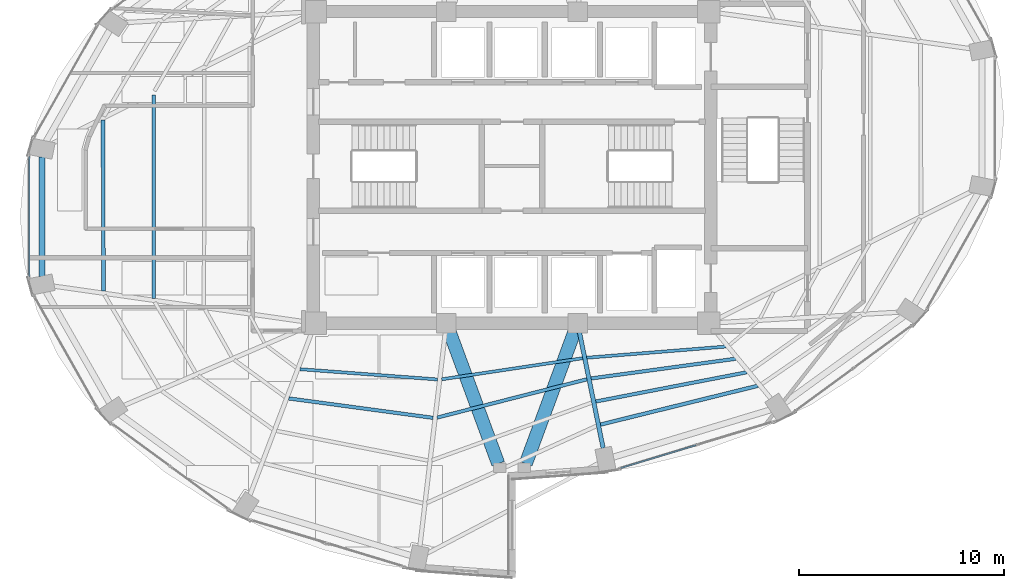
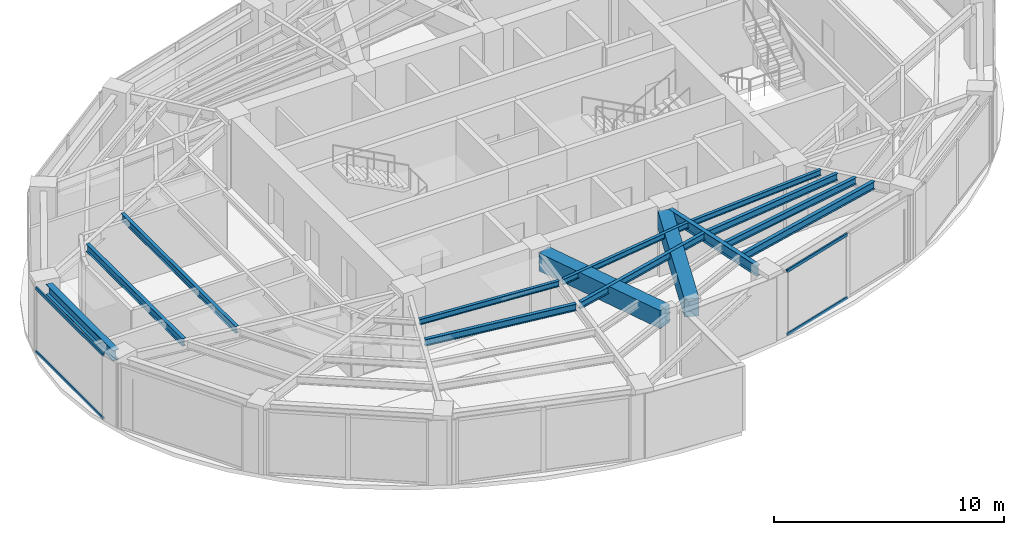
# One storey, part 5 of 20: 14 beams, 4 members, 2 elements without a shape of their own.
"""IFC4 building model written with IfcOpenShell, lengths in metres."""

from ifc_helpers import new_model, si_unit, direction, frame, origin, origin_2d, place, context, subcontext, project, spatial, rectangle, hollow_rectangle, i_section, extrude, material, layer, layer_set, material_profile, profile_set, type_object, element, aggregate, save


model = new_model("IFC4")

# Units and contexts
model_context = context("Model", 3, precision=1e-05, world=origin(), true_north=direction((0.0, 1.0)))
body_context = subcontext(model_context, "Body", "Model", "MODEL_VIEW")
ifc_project = project(units=[si_unit("LENGTHUNIT", "METRE"), si_unit("AREAUNIT", "SQUARE_METRE"), si_unit("VOLUMEUNIT", "CUBIC_METRE"), si_unit("PLANEANGLEUNIT", "RADIAN"), si_unit("MASSUNIT", "GRAM", prefix="KILO")], contexts=[model_context])

# Site, building, storey
site_placement = place(None, origin())
site = spatial("IfcSite", under=ifc_project, at=site_placement, CompositionType="ELEMENT")
building_placement = place(site_placement, origin())
building = spatial("IfcBuilding", under=site, at=building_placement, Name="Lazwardi Medical Tower", CompositionType="ELEMENT")
storey_placement = place(building_placement, frame((0.0, 0.0, 178.416015625)))
storey = spatial("IfcBuildingStorey", under=building, at=storey_placement, Name="L46", CompositionType="ELEMENT", Elevation=178.416015625)

# Beams
ifc_material_1 = material(Name="Concrete C60/75", Category="concrete")
ifc_material_profile_1 = material_profile(ifc_material_1, rectangle(XDim=0.64990234375, YDim=0.949951171875, at=origin_2d()), Name="RC 650x950")
ifc_profile_set_1 = profile_set([ifc_material_profile_1], Name="Concrete C60/75")
beam_type_1 = type_object("IfcBeamType", Name="BM-CB-RC2", PredefinedType="LINTEL", material=ifc_profile_set_1)
for number, where, z_axis, x_axis, name in (
    (1, (32.959228515625, 19.968505859375, 2.952880859375), (0.34601281054, -0.938229787921, 0.0), (0.938229787921, 0.34601281054, 0.0), "Core coupling lintel CB-02 PL3 L46"),
    (2, (39.040771484375, 19.968505859375, 2.952880859375), (-0.34601281054, -0.938229787921, 0.0), (0.938229787921, -0.34601281054, 0.0), "Core coupling lintel CB-02 PL4 L46"),
):
    element("IfcBeam", number, at=place(storey_placement, frame(where, z_axis=z_axis, x_axis=x_axis)), inside=storey, type_object=beam_type_1, Name=name, PredefinedType="LINTEL", context=body_context, shape_type="SweptSolid", body=[
        extrude(rectangle(XDim=0.64990234375, YDim=0.949951171875, at=origin_2d()), origin(), (0.0, 0.0, 1.0), 6.84423828125),
    ])
ifc_material_2 = material(Name="Steel S355", Category="steel")
ifc_material_profile_2 = material_profile(ifc_material_2, i_section(OverallWidth=0.300048828125, OverallDepth=0.550048828125, WebThickness=0.014892578125, FlangeThickness=0.029052734375, at=origin_2d()), Name="HEB 550")
ifc_profile_set_2 = profile_set([ifc_material_profile_2], Name="Steel S355")
beam_type_2 = type_object("IfcBeamType", Name="BM-RB-Z3", PredefinedType="BEAM", material=ifc_profile_set_2)
beam_1_placement = place(storey_placement, frame((13.07421875, 28.51171875, 3.153076171875), z_axis=(0.0, -1.0, 0.0), x_axis=(1.0, 0.0, 0.0)))
element("IfcBeam", 3, at=beam_1_placement, inside=storey, type_object=beam_type_2, Name="Ring beam RB-04 B12 L46", PredefinedType="BEAM", context=body_context, shape_type="SweptSolid", body=[
    extrude(i_section(OverallWidth=0.300048828125, OverallDepth=0.550048828125, WebThickness=0.014892578125, FlangeThickness=0.029052734375, at=origin_2d()), origin(), (0.0, 0.0, 1.0), 5.823486328125),
])
ifc_material_profile_3 = material_profile(ifc_material_2, i_section(OverallWidth=0.2099609375, OverallDepth=0.550048828125, WebThickness=0.010986328125, FlangeThickness=0.01708984375, at=origin_2d()), Name="IPE 550")
ifc_profile_set_3 = profile_set([ifc_material_profile_3], Name="Steel S355")
beam_type_3 = type_object("IfcBeamType", Name="BM-RG-W2", PredefinedType="BEAM", material=ifc_profile_set_3)
beam_2_placement = place(storey_placement, frame((40.447998046875, 14.2998046875, 3.153076171875), z_axis=(-0.200429485343, 0.979708130723, 0.0), x_axis=(-0.979708130723, -0.200429485343, 0.0)))
element("IfcBeam", 4, at=beam_2_placement, inside=storey, type_object=beam_type_3, Name="Radial girder RG-03 R01 L46", PredefinedType="BEAM", context=body_context, shape_type="SweptSolid", body=[
    extrude(i_section(OverallWidth=0.2099609375, OverallDepth=0.550048828125, WebThickness=0.010986328125, FlangeThickness=0.01708984375, at=origin_2d()), origin(), (0.0, 0.0, 1.0), 5.766357421875),
])
ifc_material_profile_4 = material_profile(ifc_material_2, i_section(OverallWidth=0.179931640625, OverallDepth=0.39990234375, WebThickness=0.008544921875, FlangeThickness=0.013427734375, at=origin_2d()), Name="IPE 400")
ifc_profile_set_4 = profile_set([ifc_material_profile_4], Name="Steel S355")
beam_type_4 = type_object("IfcBeamType", Name="BM-SJ-01", PredefinedType="JOIST", material=ifc_profile_set_4)
beam_3_placement = place(storey_placement, frame((40.31396484375, 15.45361328125, 3.22802734375), z_axis=(0.970912648168, 0.239433977597, 0.0), x_axis=(-0.239433977597, 0.970912648168, 0.0)))
element("IfcBeam", 5, at=beam_3_placement, inside=storey, type_object=beam_type_4, Name="Secondary joist SJ-01 R1 B01 L46", PredefinedType="JOIST", context=body_context, shape_type="SweptSolid", body=[
    extrude(i_section(OverallWidth=0.179931640625, OverallDepth=0.39990234375, WebThickness=0.008544921875, FlangeThickness=0.013427734375, at=origin_2d()), origin(), (0.0, 0.0, 1.0), 7.91162109375),
])
beam_4_placement = place(storey_placement, frame((16.04443359375, 30.30224609375, 3.22802734375), z_axis=(0.003864366017, -0.99999253331, 0.0), x_axis=(0.99999253331, 0.003864366017, 0.0)))
element("IfcBeam", 6, at=beam_4_placement, inside=storey, type_object=beam_type_4, Name="Secondary joist SJ-01 R1 B12 L46", PredefinedType="JOIST", context=body_context, shape_type="SweptSolid", body=[
    extrude(i_section(OverallWidth=0.179931640625, OverallDepth=0.39990234375, WebThickness=0.008544921875, FlangeThickness=0.013427734375, at=origin_2d()), origin(), (0.0, 0.0, 1.0), 8.33935546875),
])
ifc_material_profile_5 = material_profile(ifc_material_2, i_section(OverallWidth=0.169921875, OverallDepth=0.360107421875, WebThickness=0.008056640625, FlangeThickness=0.0126953125, at=origin_2d()), Name="IPE 360")
ifc_profile_set_5 = profile_set([ifc_material_profile_5], Name="Steel S355")
beam_type_5 = type_object("IfcBeamType", Name="BM-SJ-02", PredefinedType="JOIST", material=ifc_profile_set_5)
beam_5_placement = place(storey_placement, frame((40.083984375, 16.57861328125, 3.248046875), z_axis=(0.981753035865, 0.190160396953, 0.0), x_axis=(-0.190160396953, 0.981753035865, 0.0)))
element("IfcBeam", 7, at=beam_5_placement, inside=storey, type_object=beam_type_5, Name="Secondary joist SJ-02 R2 B01 L46", PredefinedType="JOIST", context=body_context, shape_type="SweptSolid", body=[
    extrude(i_section(OverallWidth=0.169921875, OverallDepth=0.360107421875, WebThickness=0.008056640625, FlangeThickness=0.0126953125, at=origin_2d()), origin(), (0.0, 0.0, 1.0), 7.50927734375),
])
beam_6_placement = place(storey_placement, frame((18.513671875, 31.541748046875, 3.248046875), z_axis=(0.001156040156, -0.999999331785, 0.0), x_axis=(0.999999331785, 0.001156040156, 0.0)))
element("IfcBeam", 8, at=beam_6_placement, inside=storey, type_object=beam_type_5, Name="Secondary joist SJ-02 R2 B12 L46", PredefinedType="JOIST", context=body_context, shape_type="SweptSolid", body=[
    extrude(i_section(OverallWidth=0.169921875, OverallDepth=0.360107421875, WebThickness=0.008056640625, FlangeThickness=0.0126953125, at=origin_2d()), origin(), (0.0, 0.0, 1.0), 9.92578125),
])
beam_7_placement = place(storey_placement, frame((39.853515625, 17.702880859375, 3.248046875), z_axis=(0.990832043476, 0.135099450852, 0.0), x_axis=(-0.135099450852, 0.990832043476, 0.0)))
element("IfcBeam", 9, at=beam_7_placement, inside=storey, type_object=beam_type_5, Name="Secondary joist SJ-02 R3 B01 L46", PredefinedType="JOIST", context=body_context, shape_type="SweptSolid", body=[
    extrude(i_section(OverallWidth=0.169921875, OverallDepth=0.360107421875, WebThickness=0.008056640625, FlangeThickness=0.0126953125, at=origin_2d()), origin(), (0.0, 0.0, 1.0), 7.129150390625),
])
beam_8_placement = place(storey_placement, frame((25.110107421875, 16.730224609375, 3.248046875), z_axis=(0.991056291961, -0.133444468468, 0.0), x_axis=(0.133444468468, 0.991056291961, 0.0)))
element("IfcBeam", 10, at=beam_8_placement, inside=storey, type_object=beam_type_5, Name="Secondary joist SJ-02 R3 B15 L46", PredefinedType="JOIST", context=body_context, shape_type="SweptSolid", body=[
    extrude(i_section(OverallWidth=0.169921875, OverallDepth=0.360107421875, WebThickness=0.008056640625, FlangeThickness=0.0126953125, at=origin_2d()), origin(), (0.0, 0.0, 1.0), 7.10400390625),
])
beam_9_placement = place(storey_placement, frame((32.3466796875, 15.793701171875, 3.248046875), z_axis=(0.96877632572, 0.247936344097, 0.0), x_axis=(-0.247936344097, 0.96877632572, 0.0)))
element("IfcBeam", 11, at=beam_9_placement, inside=storey, type_object=beam_type_5, Name="Secondary joist SJ-02 R3 B16 L46", PredefinedType="JOIST", context=body_context, shape_type="SweptSolid", body=[
    extrude(i_section(OverallWidth=0.169921875, OverallDepth=0.360107421875, WebThickness=0.008056640625, FlangeThickness=0.0126953125, at=origin_2d()), origin(), (0.0, 0.0, 1.0), 7.546630859375),
])
ifc_material_profile_6 = material_profile(ifc_material_2, i_section(OverallWidth=0.14990234375, OverallDepth=0.300048828125, WebThickness=0.007080078125, FlangeThickness=0.0107421875, at=origin_2d()), Name="IPE 300")
ifc_profile_set_6 = profile_set([ifc_material_profile_6], Name="Steel S355")
beam_type_6 = type_object("IfcBeamType", Name="BM-SJ-03", PredefinedType="JOIST", material=ifc_profile_set_6)
beam_10_placement = place(storey_placement, frame((39.646240234375, 18.71435546875, 3.278076171875), z_axis=(0.996785792338, 0.08011294647, 0.0), x_axis=(-0.08011294647, 0.996785792338, 0.0)))
element("IfcBeam", 12, at=beam_10_placement, inside=storey, type_object=beam_type_6, Name="Secondary joist SJ-03 R4 B01 L46", PredefinedType="JOIST", context=body_context, shape_type="SweptSolid", body=[
    extrude(i_section(OverallWidth=0.14990234375, OverallDepth=0.300048828125, WebThickness=0.007080078125, FlangeThickness=0.0107421875, at=origin_2d()), origin(), (0.0, 0.0, 1.0), 6.80810546875),
])
beam_11_placement = place(storey_placement, frame((25.650390625, 18.156494140625, 3.278076171875), z_axis=(0.99722699261, -0.074419924822, 0.0), x_axis=(0.074419924822, 0.99722699261, 0.0)))
element("IfcBeam", 13, at=beam_11_placement, inside=storey, type_object=beam_type_6, Name="Secondary joist SJ-03 R4 B15 L46", PredefinedType="JOIST", context=body_context, shape_type="SweptSolid", body=[
    extrude(i_section(OverallWidth=0.14990234375, OverallDepth=0.300048828125, WebThickness=0.007080078125, FlangeThickness=0.0107421875, at=origin_2d()), origin(), (0.0, 0.0, 1.0), 6.74169921875),
])
beam_12_placement = place(storey_placement, frame((32.57177734375, 17.662109375, 3.278076171875), z_axis=(0.98897469849, 0.148084589835, 0.0), x_axis=(-0.148084589835, 0.98897469849, 0.0)))
element("IfcBeam", 14, at=beam_12_placement, inside=storey, type_object=beam_type_6, Name="Secondary joist SJ-03 R4 B16 L46", PredefinedType="JOIST", context=body_context, shape_type="SweptSolid", body=[
    extrude(i_section(OverallWidth=0.14990234375, OverallDepth=0.300048828125, WebThickness=0.007080078125, FlangeThickness=0.0107421875, at=origin_2d()), origin(), (0.0, 0.0, 1.0), 6.952392578125),
])

# Curtain wall, members
ifc_material_3 = material(Name="Anodised bronze aluminium and solar control glazing", Category="aluminium")
ifc_layer = layer(ifc_material_3, 0.195068359375)
ifc_layer_set = layer_set([ifc_layer], Name="Anodised bronze aluminium and solar control glazing")
curtain_wall_type = type_object("IfcCurtainWallType", Name="CW-SYS-03", PredefinedType="NOTDEFINED", material=ifc_layer_set)
curtain_wall_1_placement = place(storey_placement, origin())
curtain_wall_1 = element("IfcCurtainWall", 15, at=curtain_wall_1_placement, inside=storey, type_object=curtain_wall_type, Name="L46 Unitised bronze curtain wall CW-03", PredefinedType="NOTDEFINED")
ifc_material_4 = material(Name="Anodised bronze aluminium", Category="aluminium")
ifc_material_profile_7 = material_profile(ifc_material_4, hollow_rectangle(XDim=0.074951171875, YDim=0.159912109375, WallThickness=0.00390625, at=origin_2d()), Name="ALU-TRANSOM 160x75x4")
ifc_profile_set_7 = profile_set([ifc_material_profile_7], Name="Anodised bronze aluminium")
member_type = type_object("IfcMemberType", Name="CW-TRN-01", PredefinedType="USERDEFINED", material=ifc_profile_set_7)
member_1_placement = place(storey_placement, frame((41.307861328125, 13.336669921875, 0.03759765625), z_axis=(0.956935517424, 0.290300560612, 0.0), x_axis=(-0.290300560612, 0.956935517424, 0.0)))
member_1 = element("IfcMember", 16, at=member_1_placement, type_object=member_type, Name="CW-03 transom 1.1", ObjectType="TRANSOM", PredefinedType="USERDEFINED", context=body_context, shape_type="SweptSolid", body=[
    extrude(hollow_rectangle(XDim=0.074951171875, YDim=0.159912109375, WallThickness=0.00390625, at=origin_2d()), origin(), (0.0, 0.0, 1.0), 3.836669921875),
])
member_2_placement = place(storey_placement, frame((41.307861328125, 13.336669921875, 3.390380859375), z_axis=(0.956935517424, 0.290300560612, 0.0), x_axis=(-0.290300560612, 0.956935517424, 0.0)))
member_2 = element("IfcMember", 17, at=member_2_placement, type_object=member_type, Name="CW-03 transom 1.2", ObjectType="TRANSOM", PredefinedType="USERDEFINED", context=body_context, shape_type="SweptSolid", body=[
    extrude(hollow_rectangle(XDim=0.074951171875, YDim=0.159912109375, WallThickness=0.00390625, at=origin_2d()), origin(), (0.0, 0.0, 1.0), 3.836669921875),
])
aggregate(curtain_wall_1, [member_1, member_2])

curtain_wall_2_placement = place(storey_placement, origin())
curtain_wall_2 = element("IfcCurtainWall", 18, at=curtain_wall_2_placement, inside=storey, type_object=curtain_wall_type, Name="L46 Unitised bronze curtain wall CW-03", PredefinedType="NOTDEFINED")
member_3_placement = place(storey_placement, frame((12.4423828125, 28.5205078125, 0.03759765625), z_axis=(0.0, -1.0, 0.0), x_axis=(1.0, 0.0, 0.0)))
member_3 = element("IfcMember", 19, at=member_3_placement, type_object=member_type, Name="CW-03 transom 1.1", ObjectType="TRANSOM", PredefinedType="USERDEFINED", context=body_context, shape_type="SweptSolid", body=[
    extrude(hollow_rectangle(XDim=0.074951171875, YDim=0.159912109375, WallThickness=0.00390625, at=origin_2d()), origin(), (0.0, 0.0, 1.0), 5.8408203125),
])
member_4_placement = place(storey_placement, frame((12.4423828125, 28.5205078125, 3.390380859375), z_axis=(0.0, -1.0, 0.0), x_axis=(1.0, 0.0, 0.0)))
member_4 = element("IfcMember", 20, at=member_4_placement, type_object=member_type, Name="CW-03 transom 1.2", ObjectType="TRANSOM", PredefinedType="USERDEFINED", context=body_context, shape_type="SweptSolid", body=[
    extrude(hollow_rectangle(XDim=0.074951171875, YDim=0.159912109375, WallThickness=0.00390625, at=origin_2d()), origin(), (0.0, 0.0, 1.0), 5.8408203125),
])
aggregate(curtain_wall_2, [member_3, member_4])

save(model, "model.ifc")
